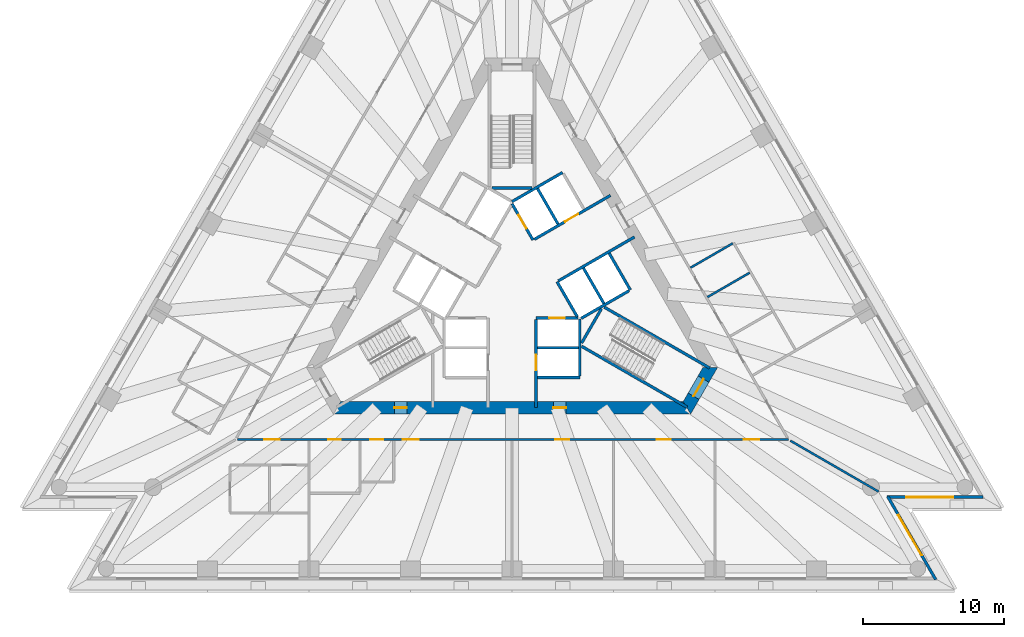
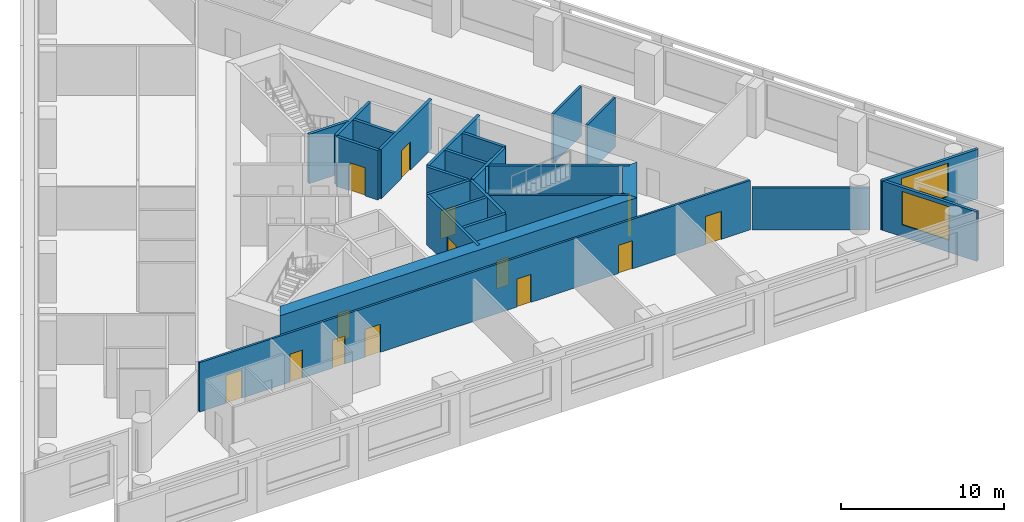
# One storey, part 5 of 11: 26 walls, 14 doors, 2 windows, 16 openings.
"""IFC4 building model written with IfcOpenShell, lengths in metres."""

from ifc_helpers import new_model, si_unit, direction, frame, frame_2d, origin, place, context, subcontext, project, spatial, polyline, rectangle, outline, extrude, material, layer, layer_set, layer_usage, type_object, element, fill, save


model = new_model("IFC4")

# Units and contexts
model_context = context("Model", 3, precision=1e-05, world=origin(), true_north=direction((0.0, 1.0)))
body_context = subcontext(model_context, "Body", "Model", "MODEL_VIEW")
ifc_project = project(units=[si_unit("LENGTHUNIT", "METRE"), si_unit("AREAUNIT", "SQUARE_METRE"), si_unit("VOLUMEUNIT", "CUBIC_METRE"), si_unit("PLANEANGLEUNIT", "RADIAN"), si_unit("MASSUNIT", "GRAM", prefix="KILO")], contexts=[model_context])

# Site, building, storey
site_placement = place(None, origin())
site = spatial("IfcSite", under=ifc_project, at=site_placement, CompositionType="ELEMENT")
building_placement = place(site_placement, origin())
building = spatial("IfcBuilding", under=site, at=building_placement, Name="Triada Interchange Tower", CompositionType="ELEMENT")
storey_placement = place(building_placement, frame((0.0, 0.0, 91.300048828125)))
storey = spatial("IfcBuildingStorey", under=building, at=storey_placement, Name="L20", CompositionType="ELEMENT", Elevation=91.300048828125)

# Walls
ifc_material_1 = material(Name="Concrete C30/37", Category="concrete")
ifc_layer_1 = layer(ifc_material_1, 0.199951171875)
ifc_layer_set_1 = layer_set([ifc_layer_1], Name="CORE WALL 200 EI 120")
wall_type_1 = type_object("IfcWallType", Name="CORE WALL 200 EI 120", PredefinedType="SOLIDWALL", material=ifc_layer_set_1)
wall_1_placement = place(storey_placement, frame((1.800048828125, -4.800048828125, 0.0), z_axis=(0.0, 0.0, 1.0), x_axis=(1.0, 0.0, 0.0)))
element("IfcWall", 1, at=wall_1_placement, inside=storey, type_object=wall_type_1, Name="Wall L18 45", PredefinedType="SOLIDWALL", context=body_context, shape_type="SweptSolid", body=[
    extrude(rectangle(XDim=2.89990234375, YDim=0.199951171875, at=frame_2d((1.449951171875, 0.0))), origin(), (0.0, 0.0, 1.0), 3.699951171875),
])
wall_2_placement = place(storey_placement, frame((1.800048828125, -6.89990234375, 0.0), z_axis=(0.0, 0.0, 1.0), x_axis=(1.0, 0.0, 0.0)))
element("IfcWall", 2, at=wall_2_placement, inside=storey, type_object=wall_type_1, Name="Wall L18 48", PredefinedType="SOLIDWALL", context=body_context, shape_type="SweptSolid", body=[
    extrude(rectangle(XDim=3.0, YDim=0.199951171875, at=frame_2d((1.5, 0.0))), origin(), (0.0, 0.0, 1.0), 3.699951171875),
])

# Wall, opening, door
wall_3_placement = place(storey_placement, frame((1.702880859375, -2.699951171875, 0.0), z_axis=(0.0, 0.0, 1.0), x_axis=(1.0, 0.0, 0.0)))
wall_3 = element("IfcWall", 3, at=wall_3_placement, inside=storey, type_object=wall_type_1, Name="Wall L18 51", PredefinedType="SOLIDWALL", context=body_context, shape_type="SweptSolid", body=[
    extrude(rectangle(XDim=2.97314453125, YDim=0.199951171875, at=frame_2d((1.486572265625, 0.0))), origin(), (0.0, 0.0, 1.0), 3.699951171875),
])
opening_1_placement = place(wall_3_placement, frame((0.93603515625, 0.0, 0.0)))
opening_1 = element("IfcOpeningElement", 4, at=opening_1_placement, cuts=wall_3, Name="Opening LD-LR1", PredefinedType="OPENING", context=body_context, shape_type="SweptSolid", body=[
    extrude(rectangle(XDim=1.10009765625, YDim=2.10009765625, at=frame_2d((0.550048828125, 1.050048828125))), frame((0.0, 0.10986328125, 0.0), z_axis=(0.0, -1.0, 0.0), x_axis=(1.0, 0.0, 0.0)), (0.0, 0.0, 1.0), 0.219970703125),
])
ifc_material_2 = material(Name="Steel S235 door leaf", Category="steel")
door_type_1 = type_object("IfcDoorType", Name="LIFT LANDING DOOR 1100 EI 120", OperationType="SLIDING_TO_LEFT", PredefinedType="DOOR", material=ifc_material_2)
door_1_placement = place(opening_1_placement, origin())
door_1 = element("IfcDoor", 5, at=door_1_placement, inside=storey, type_object=door_type_1, Name="LR1 landing door L20", OperationType="SLIDING_TO_LEFT", OverallHeight=2.10009765625, OverallWidth=1.10009765625, PredefinedType="DOOR", context=body_context, shape_type="SweptSolid", body=[
    extrude(rectangle(XDim=1.10009765625, YDim=2.10009765625, at=frame_2d((0.550048828125, 1.050048828125))), frame((0.0, 0.02490234375, 0.0), z_axis=(0.0, -1.0, 0.0), x_axis=(1.0, 0.0, 0.0)), (0.0, 0.0, 1.0), 0.050048828125),
])
fill(opening_1, door_1)

# Wall
wall_4_placement = place(storey_placement, frame((-0.001953125, 5.541015625, 0.0), z_axis=(0.0, 0.0, 1.0), x_axis=(0.86600155993, 0.500041296494, 0.0)))
element("IfcWall", 6, at=wall_4_placement, inside=storey, type_object=wall_type_1, Name="Wall L18 52", PredefinedType="SOLIDWALL", context=body_context, shape_type="SweptSolid", body=[
    extrude(rectangle(XDim=4.131591796875, YDim=0.199951171875, at=frame_2d((2.06591796875, 0.0))), origin(), (0.0, 0.0, 1.0), 3.699951171875),
])

# Wall, opening, door
wall_5_placement = place(storey_placement, frame((0.0, 5.39990234375, 0.0), z_axis=(0.0, 0.0, 1.0), x_axis=(0.500103862429, -0.865965430478, 0.0)))
wall_5 = element("IfcWall", 7, at=wall_5_placement, inside=storey, type_object=wall_type_1, Name="Wall L18 53", PredefinedType="SOLIDWALL", context=body_context, shape_type="SweptSolid", body=[
    extrude(rectangle(XDim=2.973388671875, YDim=0.199951171875, at=frame_2d((1.48681640625, 0.0))), origin(), (0.0, 0.0, 1.0), 3.699951171875),
])
opening_2_placement = place(wall_5_placement, frame((0.93701171875, 0.0, 0.0)))
opening_2 = element("IfcOpeningElement", 8, at=opening_2_placement, cuts=wall_5, Name="Opening LD-LR5", PredefinedType="OPENING", context=body_context, shape_type="SweptSolid", body=[
    extrude(rectangle(XDim=1.10009765625, YDim=2.10009765625, at=frame_2d((0.550048828125, 1.050048828125))), frame((0.0, 0.10986328125, 0.0), z_axis=(0.0, -1.0, 0.0), x_axis=(1.0, 0.0, 0.0)), (0.0, 0.0, 1.0), 0.219970703125),
])
door_2_placement = place(opening_2_placement, origin())
door_2 = element("IfcDoor", 9, at=door_2_placement, inside=storey, type_object=door_type_1, Name="LR5 landing door L20", OperationType="SLIDING_TO_LEFT", OverallHeight=2.10009765625, OverallWidth=1.10009765625, PredefinedType="DOOR", context=body_context, shape_type="SweptSolid", body=[
    extrude(rectangle(XDim=1.10009765625, YDim=2.10009765625, at=frame_2d((0.550048828125, 1.050048828125))), frame((0.0, 0.02490234375, 0.0), z_axis=(0.0, -1.0, 0.0), x_axis=(1.0, 0.0, 0.0)), (0.0, 0.0, 1.0), 0.050048828125),
])
fill(opening_2, door_2)

# Wall
wall_6_placement = place(storey_placement, frame((3.18994140625, -0.125, 0.0), z_axis=(0.0, 0.0, 1.0), x_axis=(0.499988658015, -0.866031951983, 0.0)))
element("IfcWall", 10, at=wall_6_placement, inside=storey, type_object=wall_type_1, Name="Wall L18 54", PredefinedType="SOLIDWALL", context=body_context, shape_type="SweptSolid", body=[
    extrude(rectangle(XDim=2.85791015625, YDim=0.199951171875, at=frame_2d((1.428955078125, 0.0))), origin(), (0.0, 0.0, 1.0), 3.699951171875),
])

# Wall, opening, door
wall_7_placement = place(storey_placement, frame((1.577880859375, 2.8740234375, 0.0), z_axis=(0.0, 0.0, 1.0), x_axis=(0.866031483044, 0.499989470266, 0.0)))
wall_7 = element("IfcWall", 11, at=wall_7_placement, inside=storey, type_object=wall_type_1, Name="Wall L18 55", PredefinedType="SOLIDWALL", context=body_context, shape_type="SweptSolid", body=[
    extrude(rectangle(XDim=6.226318359375, YDim=0.199951171875, at=frame_2d((3.11328125, 0.0))), origin(), (0.0, 0.0, 1.0), 3.699951171875),
])
opening_3_placement = place(wall_7_placement, frame((2.49609375, 0.0, 0.0)))
opening_3 = element("IfcOpeningElement", 12, at=opening_3_placement, cuts=wall_7, Name="Opening LD-LR6", PredefinedType="OPENING", context=body_context, shape_type="SweptSolid", body=[
    extrude(rectangle(XDim=1.10009765625, YDim=2.10009765625, at=frame_2d((0.550048828125, 1.050048828125))), frame((0.0, 0.10986328125, 0.0), z_axis=(0.0, -1.0, 0.0), x_axis=(1.0, 0.0, 0.0)), (0.0, 0.0, 1.0), 0.219970703125),
])
door_3_placement = place(opening_3_placement, origin())
door_3 = element("IfcDoor", 13, at=door_3_placement, inside=storey, type_object=door_type_1, Name="LR6 landing door L20", OperationType="SLIDING_TO_LEFT", OverallHeight=2.10009765625, OverallWidth=1.10009765625, PredefinedType="DOOR", context=body_context, shape_type="SweptSolid", body=[
    extrude(rectangle(XDim=1.10009765625, YDim=2.10009765625, at=frame_2d((0.550048828125, 1.050048828125))), frame((0.0, 0.02490234375, 0.0), z_axis=(0.0, -1.0, 0.0), x_axis=(1.0, 0.0, 0.0)), (0.0, 0.0, 1.0), 0.050048828125),
])
fill(opening_3, door_3)

wall_8_placement = place(storey_placement, frame((1.699951171875, -9.030029296875, 0.0), z_axis=(0.0, 0.0, 1.0), x_axis=(0.0, 1.0, 0.0)))
wall_8 = element("IfcWall", 14, at=wall_8_placement, inside=storey, type_object=wall_type_1, Name="Wall L18 56", PredefinedType="SOLIDWALL", context=body_context, shape_type="SweptSolid", body=[
    extrude(rectangle(XDim=6.22705078125, YDim=0.199951171875, at=frame_2d((3.113525390625, 0.0))), origin(), (0.0, 0.0, 1.0), 3.699951171875),
])
opening_4_placement = place(wall_8_placement, frame((2.6298828125, 0.0, 0.0)))
opening_4 = element("IfcOpeningElement", 15, at=opening_4_placement, cuts=wall_8, Name="Opening LD-LR2", PredefinedType="OPENING", context=body_context, shape_type="SweptSolid", body=[
    extrude(rectangle(XDim=1.10009765625, YDim=2.10009765625, at=frame_2d((0.550048828125, 1.050048828125))), frame((0.0, 0.10986328125, 0.0), z_axis=(0.0, -1.0, 0.0), x_axis=(1.0, 0.0, 0.0)), (0.0, 0.0, 1.0), 0.219970703125),
])
door_4_placement = place(opening_4_placement, origin())
door_4 = element("IfcDoor", 16, at=door_4_placement, inside=storey, type_object=door_type_1, Name="LR2 landing door L20", OperationType="SLIDING_TO_LEFT", OverallHeight=2.10009765625, OverallWidth=1.10009765625, PredefinedType="DOOR", context=body_context, shape_type="SweptSolid", body=[
    extrude(rectangle(XDim=1.10009765625, YDim=2.10009765625, at=frame_2d((0.550048828125, 1.050048828125))), frame((0.0, 0.02490234375, 0.0), z_axis=(0.0, -1.0, 0.0), x_axis=(1.0, 0.0, 0.0)), (0.0, 0.0, 1.0), 0.050048828125),
])
fill(opening_4, door_4)

# Walls
wall_9_placement = place(storey_placement, frame((4.800048828125, -6.800048828125, 0.0), z_axis=(0.0, 0.0, 1.0), x_axis=(0.0, 1.0, 0.0)))
element("IfcWall", 17, at=wall_9_placement, inside=storey, type_object=wall_type_1, Name="Wall L18 57", PredefinedType="SOLIDWALL", context=body_context, shape_type="SweptSolid", body=[
    extrude(rectangle(XDim=4.029052734375, YDim=0.199951171875, at=frame_2d((2.0146484375, 0.0))), origin(), (0.0, 0.0, 1.0), 3.699951171875),
])
wall_10_placement = place(storey_placement, frame((3.278076171875, -0.071044921875, 0.0), z_axis=(0.0, 0.0, 1.0), x_axis=(0.865953757655, 0.500124074208, 0.0)))
element("IfcWall", 18, at=wall_10_placement, inside=storey, type_object=wall_type_1, Name="Wall L18 58", PredefinedType="SOLIDWALL", context=body_context, shape_type="SweptSolid", body=[
    extrude(rectangle(XDim=6.2265625, YDim=0.199951171875, at=frame_2d((3.11328125, 0.0))), origin(), (0.0, 0.0, 1.0), 3.699951171875),
])
wall_11_placement = place(storey_placement, frame((6.8759765625, 1.89111328125, 0.0), z_axis=(0.0, 0.0, 1.0), x_axis=(0.499990139034, -0.866031096941, 0.0)))
element("IfcWall", 19, at=wall_11_placement, inside=storey, type_object=wall_type_1, Name="Wall L18 60", PredefinedType="SOLIDWALL", context=body_context, shape_type="SweptSolid", body=[
    extrude(rectangle(XDim=3.0, YDim=0.199951171875, at=frame_2d((1.5, 0.0))), origin(), (0.0, 0.0, 1.0), 3.699951171875),
])
for number, where, z_axis, x_axis, name in (
    (20, (1.806884765625, 6.469970703125, 0.0), (0.0, 0.0, 1.0), (0.50012328804, -0.865954211699, 0.0), "Wall L18 61"),
    (21, (5.056884765625, 0.841064453125, 0.0), (0.0, 0.0, 1.0), (0.50012328804, -0.865954211699, 0.0), "Wall L18 62"),
):
    element("IfcWall", number, at=place(storey_placement, frame(where, z_axis=z_axis, x_axis=x_axis)), inside=storey, type_object=wall_type_1, Name=name, PredefinedType="SOLIDWALL", context=body_context, shape_type="SweptSolid", body=[
        extrude(rectangle(XDim=2.899658203125, YDim=0.199951171875, at=frame_2d((1.44970703125, 0.0))), origin(), (0.0, 0.0, 1.0), 3.699951171875),
    ])
wall_12_placement = place(storey_placement, frame((4.89990234375, -2.714111328125, 0.0), z_axis=(0.0, 0.0, 1.0), x_axis=(0.865992350556, 0.500057245502, 0.0)))
element("IfcWall", 22, at=wall_12_placement, inside=storey, type_object=wall_type_1, Name="Wall L18 63", PredefinedType="SOLIDWALL", context=body_context, shape_type="SweptSolid", body=[
    extrude(rectangle(XDim=3.91357421875, YDim=0.199951171875, at=frame_2d((1.956787109375, 0.0))), origin(), (0.0, 0.0, 1.0), 3.699951171875),
])
ifc_layer_2 = layer(ifc_material_1, 0.199951171875)
ifc_layer_set_2 = layer_set([ifc_layer_2], Name="CORE WALL 200 REI 240")
wall_type_2 = type_object("IfcWallType", Name="CORE WALL 200 REI 240", PredefinedType="SOLIDWALL", material=ifc_layer_set_2)
wall_13_placement = place(storey_placement, frame((-1.39990234375, 6.5, 0.0), z_axis=(0.0, 0.0, 1.0), x_axis=(1.0, 0.0, 0.0)))
element("IfcWall", 23, at=wall_13_placement, inside=storey, type_object=wall_type_2, Name="Wall L18 85", PredefinedType="SOLIDWALL", context=body_context, shape_type="SweptSolid", body=[
    extrude(rectangle(XDim=2.7998046875, YDim=0.199951171875, at=frame_2d((1.39990234375, 0.0))), origin(), (0.0, 0.0, 1.0), 3.699951171875),
])
wall_14_placement = place(storey_placement, frame((4.928955078125, -4.693115234375, 0.0), z_axis=(0.0, 0.0, 1.0), x_axis=(0.866010975815, -0.500024989144, 0.0)))
element("IfcWall", 24, at=wall_14_placement, inside=storey, type_object=wall_type_2, Name="Wall L18 87", PredefinedType="SOLIDWALL", context=body_context, shape_type="SweptSolid", body=[
    extrude(rectangle(XDim=8.615234375, YDim=0.199951171875, at=frame_2d((4.3076171875, 0.0))), origin(), (0.0, 0.0, 1.0), 3.699951171875),
])
wall_15_placement = place(storey_placement, frame((4.928955078125, -4.4619140625, 0.0), z_axis=(0.0, 0.0, 1.0), x_axis=(0.500200581029, 0.865909567298, 0.0)))
element("IfcWall", 25, at=wall_15_placement, inside=storey, type_object=wall_type_2, Name="Wall L18 88", PredefinedType="SOLIDWALL", context=body_context, shape_type="SweptSolid", body=[
    extrude(rectangle(XDim=2.799072265625, YDim=0.199951171875, at=frame_2d((1.3994140625, 0.0))), origin(), (0.0, 0.0, 1.0), 3.699951171875),
])
wall_16_placement = place(storey_placement, frame((6.529052734375, -1.922119140625, 0.0), z_axis=(0.0, 0.0, 1.0), x_axis=(0.866060059011, -0.499939970583, 0.0)))
element("IfcWall", 26, at=wall_16_placement, inside=storey, type_object=wall_type_2, Name="Wall L18 89", PredefinedType="SOLIDWALL", context=body_context, shape_type="SweptSolid", body=[
    extrude(rectangle(XDim=8.61474609375, YDim=0.199951171875, at=frame_2d((4.307373046875, 0.0))), origin(), (0.0, 0.0, 1.0), 3.699951171875),
])

# Wall, openings, doors
ifc_material_3 = material(Name="Concrete C70/85", Category="concrete")
ifc_layer_3 = layer(ifc_material_3, 0.89990234375)
ifc_layer_set_3 = layer_set([ifc_layer_3], Name="Core wall A 900")
wall_type_3 = type_object("IfcWallType", Name="Core wall A 900", PredefinedType="SHEAR", material=ifc_layer_set_3)
wall_17_placement = place(storey_placement, frame((-12.384033203125, -9.050048828125, -0.300048828125), z_axis=(0.0, 0.0, 1.0), x_axis=(1.0, 0.0, 0.0)))
wall_17 = element("IfcWall", 27, at=wall_17_placement, inside=storey, type_object=wall_type_3, Name="Core wall WA04 L20", PredefinedType="SHEAR", context=body_context, shape_type="SweptSolid", body=[
    extrude(outline(polyline([(-0.260009765625, -0.449951171875), (1.685302734375, -0.449951171875), (3.63037109375, -0.449951171875), (5.57568359375, -0.449951171875), (7.52099609375, -0.449951171875), (9.466064453125, -0.449951171875), (11.411376953125, -0.449951171875), (13.356689453125, -0.449951171875), (15.302001953125, -0.449951171875), (17.2470703125, -0.449951171875), (19.1923828125, -0.449951171875), (21.1376953125, -0.449951171875), (23.082763671875, -0.449951171875), (25.028076171875, -0.449951171875), (24.508056640625, 0.449951171875), (22.642822265625, 0.449951171875), (20.777587890625, 0.449951171875), (18.912353515625, 0.449951171875), (17.047119140625, 0.449951171875), (15.181884765625, 0.449951171875), (13.316650390625, 0.449951171875), (11.451416015625, 0.449951171875), (9.586181640625, 0.449951171875), (7.720947265625, 0.449951171875), (5.855712890625, 0.449951171875), (3.990478515625, 0.449951171875), (2.125244140625, 0.449951171875), (0.260009765625, 0.449951171875), (-0.260009765625, -0.449951171875)])), origin(), (0.0, 0.0, 1.0), 4.0),
])
opening_5_placement = place(wall_17_placement, frame((4.050048828125, 0.0, 0.300048828125)))
opening_5 = element("IfcOpeningElement", 28, at=opening_5_placement, cuts=wall_17, Name="Opening D18-44", PredefinedType="OPENING", context=body_context, shape_type="SweptSolid", body=[
    extrude(rectangle(XDim=0.89990234375, YDim=2.10009765625, at=frame_2d((0.449951171875, 1.050048828125))), frame((0.0, 0.4599609375, 0.0), z_axis=(0.0, -1.0, 0.0), x_axis=(1.0, 0.0, 0.0)), (0.0, 0.0, 1.0), 0.919921875),
])
opening_6_placement = place(wall_17_placement, frame((15.320068359375, 0.0, 0.300048828125)))
opening_6 = element("IfcOpeningElement", 29, at=opening_6_placement, cuts=wall_17, Name="Opening D18-45", PredefinedType="OPENING", context=body_context, shape_type="SweptSolid", body=[
    extrude(rectangle(XDim=0.89990234375, YDim=2.10009765625, at=frame_2d((0.449951171875, 1.050048828125))), frame((0.0, 0.4599609375, 0.0), z_axis=(0.0, -1.0, 0.0), x_axis=(1.0, 0.0, 0.0)), (0.0, 0.0, 1.0), 0.919921875),
])
door_type_2 = type_object("IfcDoorType", Name="RISER ACCESS DOOR 900 EI2 45-C5S200", OperationType="NOTDEFINED", PredefinedType="DOOR", material=ifc_material_2)
door_5_placement = place(opening_5_placement, origin())
door_5 = element("IfcDoor", 30, at=door_5_placement, inside=storey, type_object=door_type_2, Name="Door D18-44 L20", OperationType="SINGLE_SWING_LEFT", OverallHeight=2.10009765625, OverallWidth=0.89990234375, PredefinedType="DOOR", context=body_context, shape_type="SweptSolid", body=[
    extrude(rectangle(XDim=0.89990234375, YDim=2.10009765625, at=frame_2d((0.449951171875, 1.050048828125))), frame((0.0, 0.02490234375, 0.0), z_axis=(0.0, -1.0, 0.0), x_axis=(1.0, 0.0, 0.0)), (0.0, 0.0, 1.0), 0.050048828125),
])
fill(opening_5, door_5)
door_type_3 = type_object("IfcDoorType", Name="SERVICE DOOR 900 EI2 45-C5S200", OperationType="NOTDEFINED", PredefinedType="DOOR", material=ifc_material_2)
door_6_placement = place(opening_6_placement, origin())
door_6 = element("IfcDoor", 31, at=door_6_placement, inside=storey, type_object=door_type_3, Name="Door D18-45 L20", OperationType="SINGLE_SWING_LEFT", OverallHeight=2.10009765625, OverallWidth=0.89990234375, PredefinedType="DOOR", context=body_context, shape_type="SweptSolid", body=[
    extrude(rectangle(XDim=0.89990234375, YDim=2.10009765625, at=frame_2d((0.449951171875, 1.050048828125))), frame((0.0, 0.02490234375, 0.0), z_axis=(0.0, -1.0, 0.0), x_axis=(1.0, 0.0, 0.0)), (0.0, 0.0, 1.0), 0.050048828125),
])
fill(opening_6, door_6)

# Wall, opening, door
wall_18_placement = place(storey_placement, frame((12.384033203125, -9.050048828125, -0.300048828125), z_axis=(0.0, 0.0, 1.0), x_axis=(0.500111984565, 0.865960739811, 0.0)))
wall_18 = element("IfcWall", 32, at=wall_18_placement, inside=storey, type_object=wall_type_3, Name="Core wall WA05 L20", PredefinedType="SHEAR", context=body_context, shape_type="SweptSolid", body=[
    extrude(outline(polyline([(-0.260009765625, -0.449951171875), (1.6455078125, -0.449462890625), (3.551025390625, -0.448974609375), (3.031005859375, 0.449951171875), (1.6455078125, 0.449951171875), (0.260009765625, 0.449951171875), (-0.260009765625, -0.449951171875)])), origin(), (0.0, 0.0, 1.0), 4.0),
])
opening_7_placement = place(wall_18_placement, frame((0.946044921875, 0.0, 0.300048828125)))
opening_7 = element("IfcOpeningElement", 33, at=opening_7_placement, cuts=wall_18, Name="Opening D18-41", PredefinedType="OPENING", context=body_context, shape_type="SweptSolid", body=[
    extrude(rectangle(XDim=1.39990234375, YDim=2.10009765625, at=frame_2d((0.699951171875, 1.050048828125))), frame((0.0, 0.4599609375, 0.0), z_axis=(0.0, -1.0, 0.0), x_axis=(1.0, 0.0, 0.0)), (0.0, 0.0, 1.0), 0.919921875),
])
door_type_4 = type_object("IfcDoorType", Name="STAIR DOOR 1400 EI2 90-C5S200", OperationType="DOUBLE_DOOR_SINGLE_SWING", PredefinedType="DOOR", material=ifc_material_2)
door_7_placement = place(opening_7_placement, origin())
door_7 = element("IfcDoor", 34, at=door_7_placement, inside=storey, type_object=door_type_4, Name="Door D18-41 L20", OperationType="DOUBLE_DOOR_SINGLE_SWING", OverallHeight=2.10009765625, OverallWidth=1.39990234375, PredefinedType="DOOR", context=body_context, shape_type="SweptSolid", body=[
    extrude(rectangle(XDim=1.39990234375, YDim=2.10009765625, at=frame_2d((0.699951171875, 1.050048828125))), frame((0.0, 0.02490234375, 0.0), z_axis=(0.0, -1.0, 0.0), x_axis=(1.0, 0.0, 0.0)), (0.0, 0.0, 1.0), 0.050048828125),
])
fill(opening_7, door_7)

# Wall, opening, window
ifc_material_4 = material(Name="Cement board")
ifc_layer_4 = layer(ifc_material_4, 0.02001953125, Name="Cement board cladding")
ifc_material_5 = material(Name="Sheathing board")
ifc_layer_5 = layer(ifc_material_5, 0.014892578125, Name="Sheathing board")
ifc_material_6 = material(Name="Mineral wool")
ifc_layer_6 = layer(ifc_material_6, 0.14990234375, Name="Mineral wool between steel studs")
ifc_material_7 = material(Name="Gypsum board")
ifc_layer_7 = layer(ifc_material_7, 0.014892578125, Name="Plasterboard lining")
ifc_layer_set_4 = layer_set([ifc_layer_4, ifc_layer_5, ifc_layer_6, ifc_layer_7], Name="External wall 200")
ifc_layer_usage = layer_usage(ifc_layer_set_4, "AXIS2", "POSITIVE", -0.10009765625)
wall_type_4 = type_object("IfcWallType", Name="External wall 200", PredefinedType="ELEMENTEDWALL", material=ifc_layer_set_4)
wall_19_placement = place(storey_placement, frame((29.991943359375, -21.20703125, 0.0), z_axis=(0.0, 0.0, 1.0), x_axis=(-0.499983120418, 0.866035148996, 0.0)))
wall_19 = element("IfcWall", 35, at=wall_19_placement, inside=storey, type_object=wall_type_4, material=ifc_layer_usage, Name="External wall L20 SE-1", PredefinedType="ELEMENTEDWALL", context=body_context, shape_type="SweptSolid", body=[
    extrude(rectangle(XDim=6.810302734375, YDim=0.199951171875, at=frame_2d((3.4052734375, 0.0))), origin(), (0.0, 0.0, 1.0), 3.699951171875),
])
opening_8_placement = place(wall_19_placement, frame((1.989990234375, 0.0, 0.89990234375)))
opening_8 = element("IfcOpeningElement", 36, at=opening_8_placement, cuts=wall_19, Name="Opening WA19", PredefinedType="OPENING", context=body_context, shape_type="SweptSolid", body=[
    extrude(rectangle(XDim=3.300048828125, YDim=2.5, at=frame_2d((1.64990234375, 1.25))), frame((0.0, 0.10986328125, 0.0), z_axis=(0.0, -1.0, 0.0), x_axis=(1.0, 0.0, 0.0)), (0.0, 0.0, 1.0), 0.219970703125),
])
ifc_material_8 = material(Name="Double glazed aluminium window", Category="aluminium")
window_type = type_object("IfcWindowType", Name="Ribbon window A pocket", PartitioningType="SINGLE_PANEL", PredefinedType="WINDOW", material=ifc_material_8)
window_1_placement = place(opening_8_placement, origin())
window_1 = element("IfcWindow", 37, at=window_1_placement, inside=storey, type_object=window_type, Name="Window L20 SE-1 1", OverallHeight=2.5, OverallWidth=3.300048828125, PartitioningType="SINGLE_PANEL", PredefinedType="WINDOW", context=body_context, shape_type="SweptSolid", body=[
    extrude(rectangle(XDim=3.300048828125, YDim=2.5, at=frame_2d((1.64990234375, 1.25))), frame((0.0, 0.030029296875, 0.0), z_axis=(0.0, -1.0, 0.0), x_axis=(1.0, 0.0, 0.0)), (0.0, 0.0, 1.0), 0.06005859375),
])
fill(opening_8, window_1)

wall_20_placement = place(storey_placement, frame((26.531982421875, -15.3701171875, 0.0), z_axis=(0.0, 0.0, 1.0), x_axis=(1.0, 0.0, 0.0)))
wall_20 = element("IfcWall", 38, at=wall_20_placement, inside=storey, type_object=wall_type_4, material=ifc_layer_usage, Name="External wall L20 SE-2", PredefinedType="ELEMENTEDWALL", context=body_context, shape_type="SweptSolid", body=[
    extrude(rectangle(XDim=6.81005859375, YDim=0.199951171875, at=frame_2d((3.405029296875, 0.0))), origin(), (0.0, 0.0, 1.0), 3.699951171875),
])
opening_9_placement = place(wall_20_placement, frame((1.389892578125, 0.0, 0.89990234375)))
opening_9 = element("IfcOpeningElement", 39, at=opening_9_placement, cuts=wall_20, Name="Opening WA20", PredefinedType="OPENING", context=body_context, shape_type="SweptSolid", body=[
    extrude(rectangle(XDim=3.300048828125, YDim=2.5, at=frame_2d((1.64990234375, 1.25))), frame((0.0, 0.10986328125, 0.0), z_axis=(0.0, -1.0, 0.0), x_axis=(1.0, 0.0, 0.0)), (0.0, 0.0, 1.0), 0.219970703125),
])
window_2_placement = place(opening_9_placement, origin())
window_2 = element("IfcWindow", 40, at=window_2_placement, inside=storey, type_object=window_type, Name="Window L20 SE-2 1", OverallHeight=2.5, OverallWidth=3.300048828125, PartitioningType="SINGLE_PANEL", PredefinedType="WINDOW", context=body_context, shape_type="SweptSolid", body=[
    extrude(rectangle(XDim=3.300048828125, YDim=2.5, at=frame_2d((1.64990234375, 1.25))), frame((0.0, 0.030029296875, 0.0), z_axis=(0.0, -1.0, 0.0), x_axis=(1.0, 0.0, 0.0)), (0.0, 0.0, 1.0), 0.06005859375),
])
fill(opening_9, window_2)

# Wall, openings, doors
ifc_material_9 = material(Name="Gypsum board partition")
ifc_layer_8 = layer(ifc_material_9, 0.14990234375)
ifc_layer_set_5 = layer_set([ifc_layer_8], Name="PARTITION 150 EI 180")
wall_type_5 = type_object("IfcWallType", Name="PARTITION 150 EI 180", PredefinedType="PARTITIONING", material=ifc_layer_set_5)
wall_21_placement = place(storey_placement, frame((-19.422119140625, -11.300048828125, 0.0), z_axis=(0.0, 0.0, 1.0), x_axis=(1.0, 0.0, 0.0)))
wall_21 = element("IfcWall", 41, at=wall_21_placement, inside=storey, type_object=wall_type_5, Name="Wall L18 4", PredefinedType="PARTITIONING", context=body_context, shape_type="SweptSolid", body=[
    extrude(rectangle(XDim=38.994140625, YDim=0.14990234375, at=frame_2d((19.4970703125, 0.0))), origin(), (0.0, 0.0, 1.0), 3.699951171875),
])
opening_10_placement = place(wall_21_placement, frame((1.89990234375, 0.0, 0.0)))
opening_10 = element("IfcOpeningElement", 42, at=opening_10_placement, cuts=wall_21, Name="Opening D18-11", PredefinedType="OPENING", context=body_context, shape_type="SweptSolid", body=[
    extrude(rectangle(XDim=1.10009765625, YDim=2.10009765625, at=frame_2d((0.550048828125, 1.050048828125))), frame((0.0, 0.0849609375, 0.0), z_axis=(0.0, -1.0, 0.0), x_axis=(1.0, 0.0, 0.0)), (0.0, 0.0, 1.0), 0.169921875),
])
opening_11_placement = place(wall_21_placement, frame((11.705078125, 0.0, 0.0)))
opening_11 = element("IfcOpeningElement", 43, at=opening_11_placement, cuts=wall_21, Name="Opening D18-14", PredefinedType="OPENING", context=body_context, shape_type="SweptSolid", body=[
    extrude(rectangle(XDim=1.10009765625, YDim=2.10009765625, at=frame_2d((0.550048828125, 1.050048828125))), frame((0.0, 0.0849609375, 0.0), z_axis=(0.0, -1.0, 0.0), x_axis=(1.0, 0.0, 0.0)), (0.0, 0.0, 1.0), 0.169921875),
])
opening_12_placement = place(wall_21_placement, frame((6.405029296875, 0.0, 0.0)))
opening_12 = element("IfcOpeningElement", 44, at=opening_12_placement, cuts=wall_21, Name="Opening D18-15", PredefinedType="OPENING", context=body_context, shape_type="SweptSolid", body=[
    extrude(rectangle(XDim=0.89990234375, YDim=2.10009765625, at=frame_2d((0.449951171875, 1.050048828125))), frame((0.0, 0.0849609375, 0.0), z_axis=(0.0, -1.0, 0.0), x_axis=(1.0, 0.0, 0.0)), (0.0, 0.0, 1.0), 0.169921875),
])
opening_13_placement = place(wall_21_placement, frame((9.405029296875, 0.0, 0.0)))
opening_13 = element("IfcOpeningElement", 45, at=opening_13_placement, cuts=wall_21, Name="Opening D18-16", PredefinedType="OPENING", context=body_context, shape_type="SweptSolid", body=[
    extrude(rectangle(XDim=0.89990234375, YDim=2.10009765625, at=frame_2d((0.449951171875, 1.050048828125))), frame((0.0, 0.0849609375, 0.0), z_axis=(0.0, -1.0, 0.0), x_axis=(1.0, 0.0, 0.0)), (0.0, 0.0, 1.0), 0.169921875),
])
opening_14_placement = place(wall_21_placement, frame((22.471923828125, 0.0, 0.0)))
opening_14 = element("IfcOpeningElement", 46, at=opening_14_placement, cuts=wall_21, Name="Opening D18-17", PredefinedType="OPENING", context=body_context, shape_type="SweptSolid", body=[
    extrude(rectangle(XDim=1.0, YDim=2.10009765625, at=frame_2d((0.5, 1.050048828125))), frame((0.0, 0.0849609375, 0.0), z_axis=(0.0, -1.0, 0.0), x_axis=(1.0, 0.0, 0.0)), (0.0, 0.0, 1.0), 0.169921875),
])
opening_15_placement = place(wall_21_placement, frame((29.656005859375, 0.0, 0.0)))
opening_15 = element("IfcOpeningElement", 47, at=opening_15_placement, cuts=wall_21, Name="Opening D18-18", PredefinedType="OPENING", context=body_context, shape_type="SweptSolid", body=[
    extrude(rectangle(XDim=1.0, YDim=2.10009765625, at=frame_2d((0.5, 1.050048828125))), frame((0.0, 0.0849609375, 0.0), z_axis=(0.0, -1.0, 0.0), x_axis=(1.0, 0.0, 0.0)), (0.0, 0.0, 1.0), 0.169921875),
])
opening_16_placement = place(wall_21_placement, frame((35.839111328125, 0.0, 0.0)))
opening_16 = element("IfcOpeningElement", 48, at=opening_16_placement, cuts=wall_21, Name="Opening D18-19", PredefinedType="OPENING", context=body_context, shape_type="SweptSolid", body=[
    extrude(rectangle(XDim=1.10009765625, YDim=2.10009765625, at=frame_2d((0.550048828125, 1.050048828125))), frame((0.0, 0.0849609375, 0.0), z_axis=(0.0, -1.0, 0.0), x_axis=(1.0, 0.0, 0.0)), (0.0, 0.0, 1.0), 0.169921875),
])
door_type_5 = type_object("IfcDoorType", Name="ROOM DOOR 1000 EI2 90-C5S200", OperationType="NOTDEFINED", PredefinedType="DOOR", material=ifc_material_2)
door_8_placement = place(opening_14_placement, origin())
door_8 = element("IfcDoor", 49, at=door_8_placement, inside=storey, type_object=door_type_5, Name="Door D18-17 L20", OperationType="SINGLE_SWING_LEFT", OverallHeight=2.10009765625, OverallWidth=1.0, PredefinedType="DOOR", context=body_context, shape_type="SweptSolid", body=[
    extrude(rectangle(XDim=1.0, YDim=2.10009765625, at=frame_2d((0.5, 1.050048828125))), frame((0.0, 0.02490234375, 0.0), z_axis=(0.0, -1.0, 0.0), x_axis=(1.0, 0.0, 0.0)), (0.0, 0.0, 1.0), 0.050048828125),
])
fill(opening_14, door_8)
door_9_placement = place(opening_15_placement, origin())
door_9 = element("IfcDoor", 50, at=door_9_placement, inside=storey, type_object=door_type_5, Name="Door D18-18 L20", OperationType="SINGLE_SWING_LEFT", OverallHeight=2.10009765625, OverallWidth=1.0, PredefinedType="DOOR", context=body_context, shape_type="SweptSolid", body=[
    extrude(rectangle(XDim=1.0, YDim=2.10009765625, at=frame_2d((0.5, 1.050048828125))), frame((0.0, 0.02490234375, 0.0), z_axis=(0.0, -1.0, 0.0), x_axis=(1.0, 0.0, 0.0)), (0.0, 0.0, 1.0), 0.050048828125),
])
fill(opening_15, door_9)
door_type_6 = type_object("IfcDoorType", Name="ROOM DOOR 900 EI2 90-C5S200", OperationType="NOTDEFINED", PredefinedType="DOOR", material=ifc_material_2)
door_10_placement = place(opening_12_placement, origin())
door_10 = element("IfcDoor", 51, at=door_10_placement, inside=storey, type_object=door_type_6, Name="Door D18-15 L20", OperationType="SINGLE_SWING_RIGHT", OverallHeight=2.10009765625, OverallWidth=0.89990234375, PredefinedType="DOOR", context=body_context, shape_type="SweptSolid", body=[
    extrude(rectangle(XDim=0.89990234375, YDim=2.10009765625, at=frame_2d((0.449951171875, 1.050048828125))), frame((0.0, 0.02490234375, 0.0), z_axis=(0.0, -1.0, 0.0), x_axis=(1.0, 0.0, 0.0)), (0.0, 0.0, 1.0), 0.050048828125),
])
fill(opening_12, door_10)
door_11_placement = place(opening_13_placement, origin())
door_11 = element("IfcDoor", 52, at=door_11_placement, inside=storey, type_object=door_type_6, Name="Door D18-16 L20", OperationType="SINGLE_SWING_LEFT", OverallHeight=2.10009765625, OverallWidth=0.89990234375, PredefinedType="DOOR", context=body_context, shape_type="SweptSolid", body=[
    extrude(rectangle(XDim=0.89990234375, YDim=2.10009765625, at=frame_2d((0.449951171875, 1.050048828125))), frame((0.0, 0.02490234375, 0.0), z_axis=(0.0, -1.0, 0.0), x_axis=(1.0, 0.0, 0.0)), (0.0, 0.0, 1.0), 0.050048828125),
])
fill(opening_13, door_11)
door_type_7 = type_object("IfcDoorType", Name="TENANCY ENTRANCE DOOR 1100 EI2 90-C5S200", OperationType="NOTDEFINED", PredefinedType="DOOR", material=ifc_material_2)
door_12_placement = place(opening_10_placement, origin())
door_12 = element("IfcDoor", 53, at=door_12_placement, inside=storey, type_object=door_type_7, Name="Door D18-11 L20", OperationType="SINGLE_SWING_RIGHT", OverallHeight=2.10009765625, OverallWidth=1.10009765625, PredefinedType="DOOR", context=body_context, shape_type="SweptSolid", body=[
    extrude(rectangle(XDim=1.10009765625, YDim=2.10009765625, at=frame_2d((0.550048828125, 1.050048828125))), frame((0.0, 0.02490234375, 0.0), z_axis=(0.0, -1.0, 0.0), x_axis=(1.0, 0.0, 0.0)), (0.0, 0.0, 1.0), 0.050048828125),
])
fill(opening_10, door_12)
door_13_placement = place(opening_11_placement, origin())
door_13 = element("IfcDoor", 54, at=door_13_placement, inside=storey, type_object=door_type_7, Name="Door D18-14 L20", OperationType="SINGLE_SWING_LEFT", OverallHeight=2.10009765625, OverallWidth=1.10009765625, PredefinedType="DOOR", context=body_context, shape_type="SweptSolid", body=[
    extrude(rectangle(XDim=1.10009765625, YDim=2.10009765625, at=frame_2d((0.550048828125, 1.050048828125))), frame((0.0, 0.02490234375, 0.0), z_axis=(0.0, -1.0, 0.0), x_axis=(1.0, 0.0, 0.0)), (0.0, 0.0, 1.0), 0.050048828125),
])
fill(opening_11, door_13)
door_14_placement = place(opening_16_placement, origin())
door_14 = element("IfcDoor", 55, at=door_14_placement, inside=storey, type_object=door_type_7, Name="Door D18-19 L20", OperationType="SINGLE_SWING_LEFT", OverallHeight=2.10009765625, OverallWidth=1.10009765625, PredefinedType="DOOR", context=body_context, shape_type="SweptSolid", body=[
    extrude(rectangle(XDim=1.10009765625, YDim=2.10009765625, at=frame_2d((0.550048828125, 1.050048828125))), frame((0.0, 0.02490234375, 0.0), z_axis=(0.0, -1.0, 0.0), x_axis=(1.0, 0.0, 0.0)), (0.0, 0.0, 1.0), 0.050048828125),
])
fill(opening_16, door_14)

# Walls
wall_22_placement = place(storey_placement, frame((19.701904296875, -11.375, 0.0), z_axis=(0.0, 0.0, 1.0), x_axis=(0.866029956157, -0.499992114976, 0.0)))
element("IfcWall", 56, at=wall_22_placement, inside=storey, type_object=wall_type_5, Name="Wall L18 6", PredefinedType="PARTITIONING", context=body_context, shape_type="SweptSolid", body=[
    extrude(rectangle(XDim=7.2099609375, YDim=0.14990234375, at=frame_2d((3.60498046875, 0.0))), origin(), (0.0, 0.0, 1.0), 3.14990234375),
])
for number, where, z_axis, x_axis, name in (
    (57, (12.635009765625, 0.865966796875, 0.0), (0.0, 0.0, 1.0), (0.866031223622, 0.49998991961, 0.0), "Wall L18 23"),
    (58, (13.8349609375, -1.212890625, 0.0), (0.0, 0.0, 1.0), (0.866061862632, 0.499936846106, 0.0), "Wall L18 24"),
):
    element("IfcWall", number, at=place(storey_placement, frame(where, z_axis=z_axis, x_axis=x_axis)), inside=storey, type_object=wall_type_5, Name=name, PredefinedType="PARTITIONING", context=body_context, shape_type="SweptSolid", body=[
        extrude(rectangle(XDim=3.4501953125, YDim=0.14990234375, at=frame_2d((1.72509765625, 0.0))), origin(), (0.0, 0.0, 1.0), 3.699951171875),
    ])

save(model, "model.ifc")
